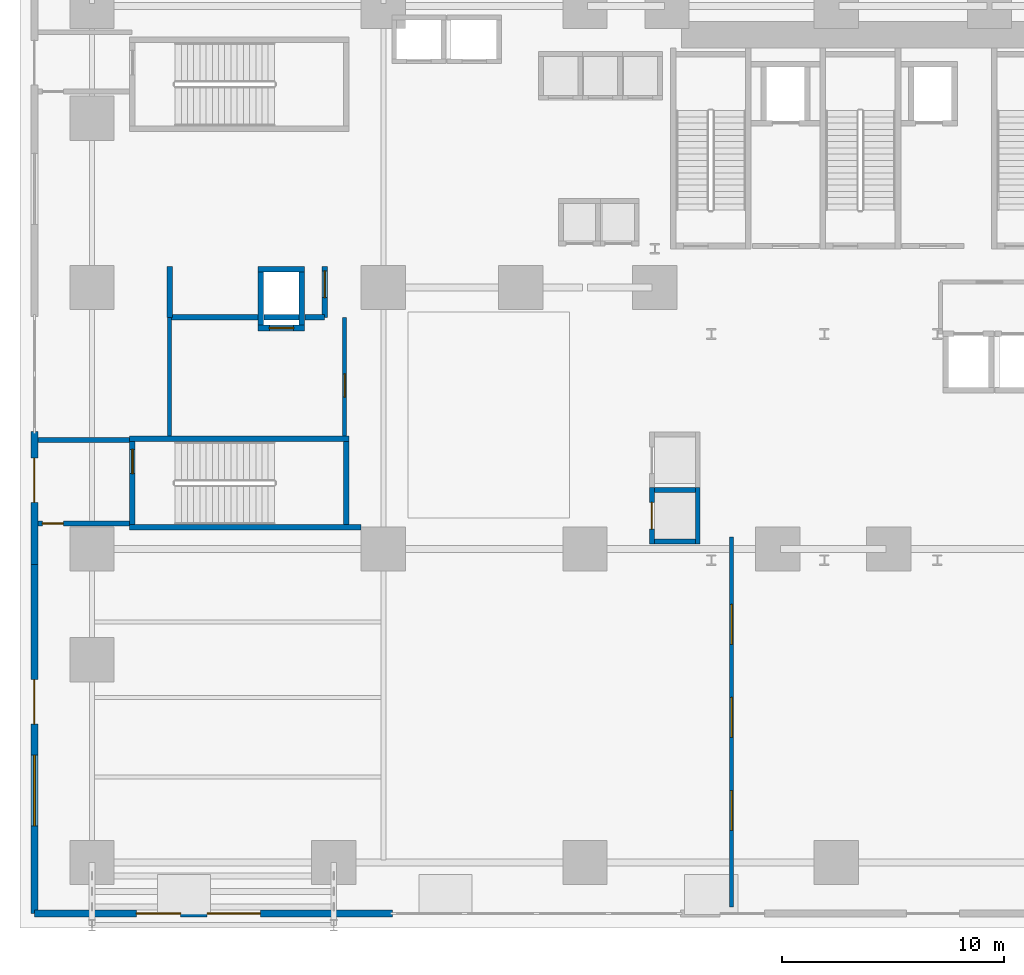
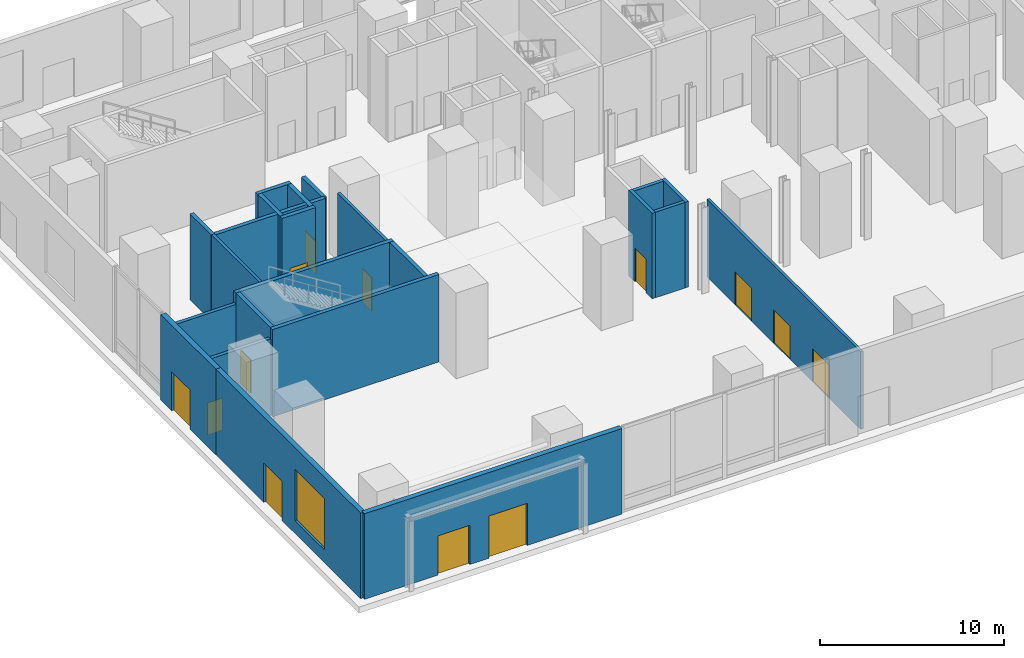
# One storey, part 13 of 25: 25 walls, 13 doors, 1 window, 14 openings.
"""IFC4 building model written with IfcOpenShell, lengths in metres."""

from ifc_helpers import new_model, si_unit, direction, frame, frame_2d, origin, place, context, subcontext, project, spatial, rectangle, extrude, source, transform, mapped, material, layer, layer_set, type_object, element, fill, save


model = new_model("IFC4")

# Units and contexts
model_context = context("Model", 3, precision=1e-05, world=origin(), true_north=direction((0.0, 1.0)))
body_context = subcontext(model_context, "Body", "Model", "MODEL_VIEW")
ifc_project = project(units=[si_unit("LENGTHUNIT", "METRE"), si_unit("AREAUNIT", "SQUARE_METRE"), si_unit("VOLUMEUNIT", "CUBIC_METRE"), si_unit("PLANEANGLEUNIT", "RADIAN"), si_unit("MASSUNIT", "GRAM", prefix="KILO")], contexts=[model_context])

# Site, building, storey
site_placement = place(None, origin())
site = spatial("IfcSite", under=ifc_project, at=site_placement, CompositionType="ELEMENT")
building_placement = place(site_placement, origin())
building = spatial("IfcBuilding", under=site, at=building_placement, Name="Vardaveli Station Tower", CompositionType="ELEMENT")
storey_placement = place(building_placement, origin())
storey = spatial("IfcBuildingStorey", under=building, at=storey_placement, Name="L01", CompositionType="ELEMENT", Elevation=0.0)

# Wall, openings, doors
ifc_material_1 = material(Name="Precast concrete C45/55", Category="concrete")
ifc_layer_1 = layer(ifc_material_1, 0.320068359375, Name="Precast concrete C45/55")
ifc_layer_set_1 = layer_set([ifc_layer_1], Name="Precast concrete C45/55")
wall_type_1 = type_object("IfcWallType", Name="WAL-EXT-STONE-320", PredefinedType="SOLIDWALL", material=ifc_layer_set_1)
shared_shape_1 = source(origin(), body_context, "Body", "SweptSolid", [
    extrude(rectangle(XDim=16.150146484375, YDim=0.320068359375, at=frame_2d((8.0751953125, 0.0))), origin(), (0.0, 0.0, 1.0), 5.679931640625),
])
wall_1_placement = place(storey_placement, frame((0.64990234375, 0.64990234375, 0.0), z_axis=(0.0, 0.0, 1.0), x_axis=(1.0, 0.0, 0.0)))
wall_1 = element("IfcWall", 1, at=wall_1_placement, inside=storey, type_object=wall_type_1, Name="EW-L01-S1", PredefinedType="SOLIDWALL", context=body_context, shape_type="MappedRepresentation", body=[
    mapped(shared_shape_1, transform((0.0, 0.0, 0.0), scale=1.0)),
])
shared_shape_2 = source(origin(), body_context, "Body", "SweptSolid", [
    extrude(rectangle(XDim=2.0, YDim=2.60009765625, at=frame_2d((1.0, 1.300048828125))), frame((0.0, 0.169921875, 0.0), z_axis=(0.0, -1.0, 0.0), x_axis=(1.0, 0.0, 0.0)), (0.0, 0.0, 1.0), 0.340087890625),
])
opening_1_placement = place(wall_1_placement, frame((4.60009765625, 0.0, 0.0)))
opening_1 = element("IfcOpeningElement", 2, at=opening_1_placement, cuts=wall_1, Name="Opening EX-01", PredefinedType="OPENING", context=body_context, shape_type="MappedRepresentation", body=[
    mapped(shared_shape_2, transform((0.0, 0.0, 0.0), scale=1.0)),
])
shared_shape_3 = source(origin(), body_context, "Body", "SweptSolid", [
    extrude(rectangle(XDim=2.39990234375, YDim=2.800048828125, at=frame_2d((1.199951171875, 1.39990234375))), frame((0.0, 0.169921875, 0.0), z_axis=(0.0, -1.0, 0.0), x_axis=(1.0, 0.0, 0.0)), (0.0, 0.0, 1.0), 0.340087890625),
])
opening_2_placement = place(wall_1_placement, frame((7.800048828125, 0.0, 0.0)))
opening_2 = element("IfcOpeningElement", 3, at=opening_2_placement, cuts=wall_1, Name="Opening EN-D1", PredefinedType="OPENING", context=body_context, shape_type="MappedRepresentation", body=[
    mapped(shared_shape_3, transform((0.0, 0.0, 0.0), scale=1.0)),
])
ifc_material_2 = material(Name="Brushed stainless steel and glass", Category="steel")
door_type_1 = type_object("IfcDoorType", Name="DR-EX-2000x2600", OperationType="DOUBLE_DOOR_SINGLE_SWING", PredefinedType="DOOR", material=ifc_material_2)
shared_shape_4 = source(origin(), body_context, "Body", "SweptSolid", [
    extrude(rectangle(XDim=2.0, YDim=2.60009765625, at=frame_2d((1.0, 1.300048828125))), frame((0.0, 0.02490234375, 0.0), z_axis=(0.0, -1.0, 0.0), x_axis=(1.0, 0.0, 0.0)), (0.0, 0.0, 1.0), 0.050048828125),
])
door_1_placement = place(opening_1_placement, frame((2.0, 0.0, 0.0), z_axis=(0.0, 0.0, 1.0), x_axis=(-1.0, 0.0, 0.0)))
door_1 = element("IfcDoor", 4, at=door_1_placement, inside=storey, type_object=door_type_1, Name="EX-01", OperationType="DOUBLE_DOOR_SINGLE_SWING", OverallHeight=2.60009765625, OverallWidth=2.0, PredefinedType="DOOR", context=body_context, shape_type="MappedRepresentation", body=[
    mapped(shared_shape_4, transform((0.0, 0.0, 0.0), scale=1.0)),
])
fill(opening_1, door_1)
door_type_2 = type_object("IfcDoorType", Name="DR-ENT-2400x2800", OperationType="DOUBLE_DOOR_SINGLE_SWING", PredefinedType="DOOR", material=ifc_material_2)
shared_shape_5 = source(origin(), body_context, "Body", "SweptSolid", [
    extrude(rectangle(XDim=2.39990234375, YDim=2.800048828125, at=frame_2d((1.199951171875, 1.39990234375))), frame((0.0, 0.02490234375, 0.0), z_axis=(0.0, -1.0, 0.0), x_axis=(1.0, 0.0, 0.0)), (0.0, 0.0, 1.0), 0.050048828125),
])
door_2_placement = place(opening_2_placement, frame((2.39990234375, 0.0, 0.0), z_axis=(0.0, 0.0, 1.0), x_axis=(-1.0, 0.0, 0.0)))
door_2 = element("IfcDoor", 5, at=door_2_placement, inside=storey, type_object=door_type_2, Name="EN-S1", OperationType="DOUBLE_DOOR_SINGLE_SWING", OverallHeight=2.800048828125, OverallWidth=2.39990234375, PredefinedType="DOOR", context=body_context, shape_type="MappedRepresentation", body=[
    mapped(shared_shape_5, transform((0.0, 0.0, 0.0), scale=1.0)),
])
fill(opening_2, door_2)

# Wall, openings, door, window
shared_shape_6 = source(origin(), body_context, "Body", "SweptSolid", [
    extrude(rectangle(XDim=15.75, YDim=0.320068359375, at=frame_2d((7.875, 0.0))), origin(), (0.0, 0.0, 1.0), 5.679931640625),
])
wall_2_placement = place(storey_placement, frame((0.64990234375, 16.39990234375, 0.0), z_axis=(0.0, 0.0, 1.0), x_axis=(0.0, -1.0, 0.0)))
wall_2 = element("IfcWall", 6, at=wall_2_placement, inside=storey, type_object=wall_type_1, Name="EW-L01-W1", PredefinedType="SOLIDWALL", context=body_context, shape_type="MappedRepresentation", body=[
    mapped(shared_shape_6, transform((0.0, 0.0, 0.0), scale=1.0)),
])
opening_3_placement = place(wall_2_placement, frame((5.199951171875, 0.0, 0.0)))
opening_3 = element("IfcOpeningElement", 7, at=opening_3_placement, cuts=wall_2, Name="Opening EX-07", PredefinedType="OPENING", context=body_context, shape_type="MappedRepresentation", body=[
    mapped(shared_shape_2, transform((0.0, 0.0, 0.0), scale=1.0)),
])
shared_shape_7 = source(origin(), body_context, "Body", "SweptSolid", [
    extrude(rectangle(XDim=3.199951171875, YDim=3.39990234375, at=frame_2d((1.60009765625, 1.699951171875))), frame((0.0, 0.169921875, 0.0), z_axis=(0.0, -1.0, 0.0), x_axis=(1.0, 0.0, 0.0)), (0.0, 0.0, 1.0), 0.340087890625),
])
opening_4_placement = place(wall_2_placement, frame((8.60009765625, 0.0, 0.85009765625)))
opening_4 = element("IfcOpeningElement", 8, at=opening_4_placement, cuts=wall_2, Name="Opening W-01", PredefinedType="OPENING", context=body_context, shape_type="MappedRepresentation", body=[
    mapped(shared_shape_7, transform((0.0, 0.0, 0.0), scale=1.0)),
])
door_3_placement = place(opening_3_placement, frame((2.0, 0.0, 0.0), z_axis=(0.0, 0.0, 1.0), x_axis=(-1.0, 0.0, 0.0)))
door_3 = element("IfcDoor", 9, at=door_3_placement, inside=storey, type_object=door_type_1, Name="EX-07", OperationType="DOUBLE_DOOR_SINGLE_SWING", OverallHeight=2.60009765625, OverallWidth=2.0, PredefinedType="DOOR", context=body_context, shape_type="MappedRepresentation", body=[
    mapped(shared_shape_4, transform((0.0, 0.0, 0.0), scale=1.0)),
])
fill(opening_3, door_3)
ifc_material_3 = material(Name="Low-E acoustic laminated glass", Category="glass")
window_type = type_object("IfcWindowType", Name="WIN-CONC-3200x3400", PartitioningType="SINGLE_PANEL", PredefinedType="WINDOW", material=ifc_material_3)
shared_shape_8 = source(origin(), body_context, "Body", "SweptSolid", [
    extrude(rectangle(XDim=3.199951171875, YDim=3.39990234375, at=frame_2d((1.60009765625, 1.699951171875))), frame((0.0, 0.030029296875, 0.0), z_axis=(0.0, -1.0, 0.0), x_axis=(1.0, 0.0, 0.0)), (0.0, 0.0, 1.0), 0.06005859375),
])
window_placement = place(opening_4_placement, origin())
window = element("IfcWindow", 10, at=window_placement, inside=storey, type_object=window_type, Name="WN-L01-W1", OverallHeight=3.39990234375, OverallWidth=3.199951171875, PartitioningType="SINGLE_PANEL", PredefinedType="WINDOW", context=body_context, shape_type="MappedRepresentation", body=[
    mapped(shared_shape_8, transform((0.0, 0.0, 0.0), scale=1.0)),
])
fill(opening_4, window)

# Wall, opening, door
shared_shape_9 = source(origin(), body_context, "Body", "SweptSolid", [
    extrude(rectangle(XDim=6.0, YDim=0.320068359375, at=frame_2d((3.0, 0.0))), origin(), (0.0, 0.0, 1.0), 5.679931640625),
])
wall_3_placement = place(storey_placement, frame((0.64990234375, 22.39990234375, 0.0), z_axis=(0.0, 0.0, 1.0), x_axis=(0.0, -1.0, 0.0)))
wall_3 = element("IfcWall", 11, at=wall_3_placement, inside=storey, type_object=wall_type_1, Name="EW-L01-W2", PredefinedType="SOLIDWALL", context=body_context, shape_type="MappedRepresentation", body=[
    mapped(shared_shape_9, transform((0.0, 0.0, 0.0), scale=1.0)),
])
opening_5_placement = place(wall_3_placement, frame((1.199951171875, 0.0, 0.0)))
opening_5 = element("IfcOpeningElement", 12, at=opening_5_placement, cuts=wall_3, Name="Opening EX-11", PredefinedType="OPENING", context=body_context, shape_type="MappedRepresentation", body=[
    mapped(shared_shape_2, transform((0.0, 0.0, 0.0), scale=1.0)),
])
door_4_placement = place(opening_5_placement, frame((2.0, 0.0, 0.0), z_axis=(0.0, 0.0, 1.0), x_axis=(-1.0, 0.0, 0.0)))
door_4 = element("IfcDoor", 13, at=door_4_placement, inside=storey, type_object=door_type_1, Name="EX-11", OperationType="DOUBLE_DOOR_SINGLE_SWING", OverallHeight=2.60009765625, OverallWidth=2.0, PredefinedType="DOOR", context=body_context, shape_type="MappedRepresentation", body=[
    mapped(shared_shape_4, transform((0.0, 0.0, 0.0), scale=1.0)),
])
fill(opening_5, door_4)

# Walls
ifc_material_4 = material(Name="Concrete C40/50", Category="concrete")
ifc_layer_2 = layer(ifc_material_4, 0.25, Name="Concrete C40/50")
ifc_layer_set_2 = layer_set([ifc_layer_2], Name="Concrete C40/50")
wall_type_2 = type_object("IfcWallType", Name="WAL-SHAFT-250", PredefinedType="SOLIDWALL", material=ifc_layer_set_2)
shared_shape_10 = source(origin(), body_context, "Body", "SweptSolid", [
    extrude(rectangle(XDim=10.449951171875, YDim=0.25, at=frame_2d((5.22509765625, 0.0))), origin(), (0.0, 0.0, 1.0), 5.800048828125),
])
wall_4_placement = place(storey_placement, frame((4.949951171875, 18.074951171875, 0.0), z_axis=(0.0, 0.0, 1.0), x_axis=(1.0, 0.0, 0.0)))
element("IfcWall", 14, at=wall_4_placement, inside=storey, type_object=wall_type_2, Name="W-L01-ST-S1S", PredefinedType="SOLIDWALL", context=body_context, shape_type="MappedRepresentation", body=[
    mapped(shared_shape_10, transform((0.0, 0.0, 0.0), scale=1.0)),
])
shared_shape_11 = source(origin(), body_context, "Body", "SweptSolid", [
    extrude(rectangle(XDim=9.900146484375, YDim=0.25, at=frame_2d((4.9501953125, 0.0))), origin(), (0.0, 0.0, 1.0), 5.800048828125),
])
wall_5_placement = place(storey_placement, frame((4.949951171875, 22.074951171875, 0.0), z_axis=(0.0, 0.0, 1.0), x_axis=(1.0, 0.0, 0.0)))
element("IfcWall", 15, at=wall_5_placement, inside=storey, type_object=wall_type_2, Name="W-L01-ST-S1N", PredefinedType="SOLIDWALL", context=body_context, shape_type="MappedRepresentation", body=[
    mapped(shared_shape_11, transform((0.0, 0.0, 0.0), scale=1.0)),
])
shared_shape_12 = source(origin(), body_context, "Body", "SweptSolid", [
    extrude(rectangle(XDim=3.75, YDim=0.25, at=frame_2d((1.875, 0.0))), origin(), (0.0, 0.0, 1.0), 5.800048828125),
])
wall_6_placement = place(storey_placement, frame((14.72509765625, 18.199951171875, 0.0), z_axis=(0.0, 0.0, 1.0), x_axis=(0.0, 1.0, 0.0)))
element("IfcWall", 16, at=wall_6_placement, inside=storey, type_object=wall_type_2, Name="W-L01-ST-S1E", PredefinedType="SOLIDWALL", context=body_context, shape_type="MappedRepresentation", body=[
    mapped(shared_shape_12, transform((0.0, 0.0, 0.0), scale=1.0)),
])

# Wall, opening, door
wall_7_placement = place(storey_placement, frame((5.074951171875, 18.199951171875, 0.0), z_axis=(0.0, 0.0, 1.0), x_axis=(0.0, 1.0, 0.0)))
wall_7 = element("IfcWall", 17, at=wall_7_placement, inside=storey, type_object=wall_type_2, Name="W-L01-ST-S1W", PredefinedType="SOLIDWALL", context=body_context, shape_type="MappedRepresentation", body=[
    mapped(shared_shape_12, transform((0.0, 0.0, 0.0), scale=1.0)),
])
shared_shape_13 = source(origin(), body_context, "Body", "SweptSolid", [
    extrude(rectangle(XDim=1.10009765625, YDim=2.199951171875, at=frame_2d((0.550048828125, 1.10009765625))), frame((0.0, 0.135009765625, 0.0), z_axis=(0.0, -1.0, 0.0), x_axis=(1.0, 0.0, 0.0)), (0.0, 0.0, 1.0), 0.27001953125),
])
opening_6_placement = place(wall_7_placement, frame((2.300048828125, 0.0, 0.0)))
opening_6 = element("IfcOpeningElement", 18, at=opening_6_placement, cuts=wall_7, Name="Opening D-04", PredefinedType="OPENING", context=body_context, shape_type="MappedRepresentation", body=[
    mapped(shared_shape_13, transform((0.0, 0.0, 0.0), scale=1.0)),
])
ifc_material_5 = material(Name="Steel smokeproof fire doorset", Category="steel")
door_type_3 = type_object("IfcDoorType", Name="DR-ST-1100x2200", OperationType="NOTDEFINED", PredefinedType="DOOR", material=ifc_material_5)
shared_shape_14 = source(origin(), body_context, "Body", "SweptSolid", [
    extrude(rectangle(XDim=1.10009765625, YDim=2.199951171875, at=frame_2d((0.550048828125, 1.10009765625))), frame((0.0, 0.02490234375, 0.0), z_axis=(0.0, -1.0, 0.0), x_axis=(1.0, 0.0, 0.0)), (0.0, 0.0, 1.0), 0.050048828125),
])
door_5_placement = place(opening_6_placement, origin())
door_5 = element("IfcDoor", 19, at=door_5_placement, inside=storey, type_object=door_type_3, Name="DST-S1-L01", OperationType="SINGLE_SWING_RIGHT", OverallHeight=2.199951171875, OverallWidth=1.10009765625, PredefinedType="DOOR", context=body_context, shape_type="MappedRepresentation", body=[
    mapped(shared_shape_14, transform((0.0, 0.0, 0.0), scale=1.0)),
])
fill(opening_6, door_5)

shared_shape_15 = source(origin(), body_context, "Body", "SweptSolid", [
    extrude(rectangle(XDim=2.10009765625, YDim=0.25, at=frame_2d((1.050048828125, 0.0))), origin(), (0.0, 0.0, 1.0), 5.679931640625),
])
wall_8_placement = place(storey_placement, frame((10.75, 27.074951171875, 0.0), z_axis=(0.0, 0.0, 1.0), x_axis=(1.0, 0.0, 0.0)))
wall_8 = element("IfcWall", 20, at=wall_8_placement, inside=storey, type_object=wall_type_2, Name="SHW-STN-01-L01-S", PredefinedType="SOLIDWALL", context=body_context, shape_type="MappedRepresentation", body=[
    mapped(shared_shape_15, transform((0.0, 0.0, 0.0), scale=1.0)),
])
opening_7_placement = place(wall_8_placement, frame((0.5, 0.0, 0.0)))
opening_7 = element("IfcOpeningElement", 21, at=opening_7_placement, cuts=wall_8, Name="Opening LD-01", PredefinedType="OPENING", context=body_context, shape_type="MappedRepresentation", body=[
    mapped(shared_shape_13, transform((0.0, 0.0, 0.0), scale=1.0)),
])
ifc_material_6 = material(Name="Brushed stainless steel", Category="steel")
door_type_4 = type_object("IfcDoorType", Name="DR-LD-1100x2200", OperationType="DOUBLE_DOOR_SLIDING", PredefinedType="DOOR", material=ifc_material_6)
door_6_placement = place(opening_7_placement, origin())
door_6 = element("IfcDoor", 22, at=door_6_placement, inside=storey, type_object=door_type_4, Name="LD-STN-01-L01", OperationType="DOUBLE_DOOR_SLIDING", OverallHeight=2.199951171875, OverallWidth=1.10009765625, PredefinedType="DOOR", context=body_context, shape_type="MappedRepresentation", body=[
    mapped(shared_shape_14, transform((0.0, 0.0, 0.0), scale=1.0)),
])
fill(opening_7, door_6)

# Walls
wall_9_placement = place(storey_placement, frame((10.75, 29.72509765625, 0.0), z_axis=(0.0, 0.0, 1.0), x_axis=(1.0, 0.0, 0.0)))
element("IfcWall", 23, at=wall_9_placement, inside=storey, type_object=wall_type_2, Name="SHW-STN-01-L01-N", PredefinedType="SOLIDWALL", context=body_context, shape_type="MappedRepresentation", body=[
    mapped(shared_shape_15, transform((0.0, 0.0, 0.0), scale=1.0)),
])
shared_shape_16 = source(origin(), body_context, "Body", "SweptSolid", [
    extrude(rectangle(XDim=2.400146484375, YDim=0.25, at=frame_2d((1.2001953125, 0.0))), origin(), (0.0, 0.0, 1.0), 5.679931640625),
])
for number, where, z_axis, x_axis, name in (
    (24, (10.875, 27.199951171875, 0.0), (0.0, 0.0, 1.0), (0.0, 1.0, 0.0), "SHW-STN-01-L01-W"),
    (25, (12.72509765625, 27.199951171875, 0.0), (0.0, 0.0, 1.0), (0.0, 1.0, 0.0), "SHW-STN-01-L01-E"),
):
    element("IfcWall", number, at=place(storey_placement, frame(where, z_axis=z_axis, x_axis=x_axis)), inside=storey, type_object=wall_type_2, Name=name, PredefinedType="SOLIDWALL", context=body_context, shape_type="MappedRepresentation", body=[
        mapped(shared_shape_16, transform((0.0, 0.0, 0.0), scale=1.0)),
    ])
ifc_layer_3 = layer(ifc_material_4, 0.219970703125, Name="Concrete C40/50")
ifc_layer_set_3 = layer_set([ifc_layer_3], Name="Concrete C40/50")
wall_type_3 = type_object("IfcWallType", Name="WAL-FFLOBBY-220", PredefinedType="SOLIDWALL", material=ifc_layer_set_3)
shared_shape_17 = source(origin(), body_context, "Body", "SweptSolid", [
    extrude(rectangle(XDim=1.85009765625, YDim=0.219970703125, at=frame_2d((0.925048828125, 0.0))), origin(), (0.0, 0.0, 1.0), 5.679931640625),
])
for number, where, z_axis, x_axis, name in (
    (26, (28.625, 17.43994140625, 0.0), (0.0, 0.0, 1.0), (1.0, 0.0, 0.0), "SHW-OBS-01-L01-S"),
    (27, (28.625, 19.760009765625, 0.0), (0.0, 0.0, 1.0), (1.0, 0.0, 0.0), "SHW-OBS-01-L01-N"),
):
    element("IfcWall", number, at=place(storey_placement, frame(where, z_axis=z_axis, x_axis=x_axis)), inside=storey, type_object=wall_type_3, Name=name, PredefinedType="SOLIDWALL", context=body_context, shape_type="MappedRepresentation", body=[
        mapped(shared_shape_17, transform((0.0, 0.0, 0.0), scale=1.0)),
    ])

# Wall, opening, door
shared_shape_18 = source(origin(), body_context, "Body", "SweptSolid", [
    extrude(rectangle(XDim=2.5400390625, YDim=0.219970703125, at=frame_2d((1.27001953125, 0.0))), origin(), (0.0, 0.0, 1.0), 5.679931640625),
])
wall_10_placement = place(storey_placement, frame((28.514892578125, 17.330078125, 0.0), z_axis=(0.0, 0.0, 1.0), x_axis=(0.0, 1.0, 0.0)))
wall_10 = element("IfcWall", 28, at=wall_10_placement, inside=storey, type_object=wall_type_3, Name="SHW-OBS-01-L01-W", PredefinedType="SOLIDWALL", context=body_context, shape_type="MappedRepresentation", body=[
    mapped(shared_shape_18, transform((0.0, 0.0, 0.0), scale=1.0)),
])
shared_shape_19 = source(origin(), body_context, "Body", "SweptSolid", [
    extrude(rectangle(XDim=1.199951171875, YDim=2.25, at=frame_2d((0.60009765625, 1.125))), frame((0.0, 0.1201171875, 0.0), z_axis=(0.0, -1.0, 0.0), x_axis=(1.0, 0.0, 0.0)), (0.0, 0.0, 1.0), 0.239990234375),
])
opening_8_placement = place(wall_10_placement, frame((0.669921875, 0.0, 0.0)))
opening_8 = element("IfcOpeningElement", 29, at=opening_8_placement, cuts=wall_10, Name="Opening LD-02", PredefinedType="OPENING", context=body_context, shape_type="MappedRepresentation", body=[
    mapped(shared_shape_19, transform((0.0, 0.0, 0.0), scale=1.0)),
])
door_type_5 = type_object("IfcDoorType", Name="DR-LD-1200x2250", OperationType="DOUBLE_DOOR_SLIDING", PredefinedType="DOOR", material=ifc_material_6)
shared_shape_20 = source(origin(), body_context, "Body", "SweptSolid", [
    extrude(rectangle(XDim=1.199951171875, YDim=2.25, at=frame_2d((0.60009765625, 1.125))), frame((0.0, 0.02490234375, 0.0), z_axis=(0.0, -1.0, 0.0), x_axis=(1.0, 0.0, 0.0)), (0.0, 0.0, 1.0), 0.050048828125),
])
door_7_placement = place(opening_8_placement, origin())
door_7 = element("IfcDoor", 30, at=door_7_placement, inside=storey, type_object=door_type_5, Name="LD-OBS-01-L01", OperationType="DOUBLE_DOOR_SLIDING", OverallHeight=2.25, OverallWidth=1.199951171875, PredefinedType="DOOR", context=body_context, shape_type="MappedRepresentation", body=[
    mapped(shared_shape_20, transform((0.0, 0.0, 0.0), scale=1.0)),
])
fill(opening_8, door_7)

# Wall
wall_11_placement = place(storey_placement, frame((30.5849609375, 17.330078125, 0.0), z_axis=(0.0, 0.0, 1.0), x_axis=(0.0, 1.0, 0.0)))
element("IfcWall", 31, at=wall_11_placement, inside=storey, type_object=wall_type_3, Name="SHW-OBS-01-L01-E", PredefinedType="SOLIDWALL", context=body_context, shape_type="MappedRepresentation", body=[
    mapped(shared_shape_18, transform((0.0, 0.0, 0.0), scale=1.0)),
])

# Wall, openings, doors
ifc_material_7 = material(Name="Fire-rated gypsum stud partition")
ifc_layer_4 = layer(ifc_material_7, 0.179931640625, Name="Fire-rated gypsum stud partition")
ifc_layer_set_4 = layer_set([ifc_layer_4], Name="Fire-rated gypsum stud partition")
wall_type_4 = type_object("IfcWallType", Name="WAL-CORR-180", PredefinedType="PARTITIONING", material=ifc_layer_set_4)
shared_shape_21 = source(origin(), body_context, "Body", "SweptSolid", [
    extrude(rectangle(XDim=16.699951171875, YDim=0.179931640625, at=frame_2d((8.35009765625, 0.0))), origin(), (0.0, 0.0, 1.0), 5.14794921875),
])
wall_12_placement = place(storey_placement, frame((32.1201171875, 0.949951171875, 0.0), z_axis=(0.0, 0.0, 1.0), x_axis=(0.0, 1.0, 0.0)))
wall_12 = element("IfcWall", 32, at=wall_12_placement, inside=storey, type_object=wall_type_4, Name="W-L01-FG", PredefinedType="PARTITIONING", context=body_context, shape_type="MappedRepresentation", body=[
    mapped(shared_shape_21, transform((0.0, 0.0, 0.0), scale=1.0)),
])
shared_shape_22 = source(origin(), body_context, "Body", "SweptSolid", [
    extrude(rectangle(XDim=1.800048828125, YDim=2.199951171875, at=frame_2d((0.89990234375, 1.10009765625))), frame((0.0, 0.10009765625, 0.0), z_axis=(0.0, -1.0, 0.0), x_axis=(1.0, 0.0, 0.0)), (0.0, 0.0, 1.0), 0.199951171875),
])
opening_9_placement = place(wall_12_placement, frame((3.449951171875, 0.0, 0.0)))
opening_9 = element("IfcOpeningElement", 33, at=opening_9_placement, cuts=wall_12, Name="Opening SG-01", PredefinedType="OPENING", context=body_context, shape_type="MappedRepresentation", body=[
    mapped(shared_shape_22, transform((0.0, 0.0, 0.0), scale=1.0)),
])
opening_10_placement = place(wall_12_placement, frame((7.64990234375, 0.0, 0.0)))
opening_10 = element("IfcOpeningElement", 34, at=opening_10_placement, cuts=wall_12, Name="Opening SG-01", PredefinedType="OPENING", context=body_context, shape_type="MappedRepresentation", body=[
    mapped(shared_shape_22, transform((0.0, 0.0, 0.0), scale=1.0)),
])
opening_11_placement = place(wall_12_placement, frame((11.85009765625, 0.0, 0.0)))
opening_11 = element("IfcOpeningElement", 35, at=opening_11_placement, cuts=wall_12, Name="Opening SG-01", PredefinedType="OPENING", context=body_context, shape_type="MappedRepresentation", body=[
    mapped(shared_shape_22, transform((0.0, 0.0, 0.0), scale=1.0)),
])
door_type_6 = type_object("IfcDoorType", Name="DR-FG-1800x2200", OperationType="DOUBLE_DOOR_SLIDING", PredefinedType="GATE", material=ifc_material_2)
shared_shape_23 = source(origin(), body_context, "Body", "SweptSolid", [
    extrude(rectangle(XDim=1.800048828125, YDim=2.199951171875, at=frame_2d((0.89990234375, 1.10009765625))), frame((0.0, 0.02490234375, 0.0), z_axis=(0.0, -1.0, 0.0), x_axis=(1.0, 0.0, 0.0)), (0.0, 0.0, 1.0), 0.050048828125),
])
door_8_placement = place(opening_9_placement, origin())
door_8 = element("IfcDoor", 36, at=door_8_placement, inside=storey, type_object=door_type_6, Name="SG-L01-1", OperationType="DOUBLE_DOOR_SLIDING", OverallHeight=2.199951171875, OverallWidth=1.800048828125, PredefinedType="GATE", context=body_context, shape_type="MappedRepresentation", body=[
    mapped(shared_shape_23, transform((0.0, 0.0, 0.0), scale=1.0)),
])
fill(opening_9, door_8)
door_9_placement = place(opening_10_placement, origin())
door_9 = element("IfcDoor", 37, at=door_9_placement, inside=storey, type_object=door_type_6, Name="SG-L01-2", OperationType="DOUBLE_DOOR_SLIDING", OverallHeight=2.199951171875, OverallWidth=1.800048828125, PredefinedType="GATE", context=body_context, shape_type="MappedRepresentation", body=[
    mapped(shared_shape_23, transform((0.0, 0.0, 0.0), scale=1.0)),
])
fill(opening_10, door_9)
door_10_placement = place(opening_11_placement, origin())
door_10 = element("IfcDoor", 38, at=door_10_placement, inside=storey, type_object=door_type_6, Name="SG-L01-3", OperationType="DOUBLE_DOOR_SLIDING", OverallHeight=2.199951171875, OverallWidth=1.800048828125, PredefinedType="GATE", context=body_context, shape_type="MappedRepresentation", body=[
    mapped(shared_shape_23, transform((0.0, 0.0, 0.0), scale=1.0)),
])
fill(opening_11, door_10)

# Wall, opening, door
shared_shape_24 = source(origin(), body_context, "Body", "SweptSolid", [
    extrude(rectangle(XDim=5.34814453125, YDim=0.179931640625, at=frame_2d((2.674072265625, 0.0))), origin(), (0.0, 0.0, 1.0), 5.679931640625),
])
wall_13_placement = place(storey_placement, frame((14.64990234375, 22.201904296875, 0.0), z_axis=(0.0, 0.0, 1.0), x_axis=(0.0, 1.0, 0.0)))
wall_13 = element("IfcWall", 39, at=wall_13_placement, inside=storey, type_object=wall_type_4, Name="W-L01-LUG-E", PredefinedType="PARTITIONING", context=body_context, shape_type="MappedRepresentation", body=[
    mapped(shared_shape_24, transform((0.0, 0.0, 0.0), scale=1.0)),
])
shared_shape_25 = source(origin(), body_context, "Body", "SweptSolid", [
    extrude(rectangle(XDim=1.050048828125, YDim=2.199951171875, at=frame_2d((0.52490234375, 1.10009765625))), frame((0.0, 0.10009765625, 0.0), z_axis=(0.0, -1.0, 0.0), x_axis=(1.0, 0.0, 0.0)), (0.0, 0.0, 1.0), 0.199951171875),
])
opening_12_placement = place(wall_13_placement, frame((1.748046875, 0.0, 0.0)))
opening_12 = element("IfcOpeningElement", 40, at=opening_12_placement, cuts=wall_13, Name="Opening D-05", PredefinedType="OPENING", context=body_context, shape_type="MappedRepresentation", body=[
    mapped(shared_shape_25, transform((0.0, 0.0, 0.0), scale=1.0)),
])
ifc_material_8 = material(Name="Walnut veneer acoustic fire door")
door_type_7 = type_object("IfcDoorType", Name="DR-SUITE-1050x2200", OperationType="NOTDEFINED", PredefinedType="DOOR", material=ifc_material_8)
shared_shape_26 = source(origin(), body_context, "Body", "SweptSolid", [
    extrude(rectangle(XDim=1.050048828125, YDim=2.199951171875, at=frame_2d((0.52490234375, 1.10009765625))), frame((0.0, 0.02490234375, 0.0), z_axis=(0.0, -1.0, 0.0), x_axis=(1.0, 0.0, 0.0)), (0.0, 0.0, 1.0), 0.050048828125),
])
door_11_placement = place(opening_12_placement, origin())
door_11 = element("IfcDoor", 41, at=door_11_placement, inside=storey, type_object=door_type_7, Name="D-L01-LUG", OperationType="SINGLE_SWING_LEFT", OverallHeight=2.199951171875, OverallWidth=1.050048828125, PredefinedType="DOOR", context=body_context, shape_type="MappedRepresentation", body=[
    mapped(shared_shape_26, transform((0.0, 0.0, 0.0), scale=1.0)),
])
fill(opening_12, door_11)

# Wall
wall_14_placement = place(storey_placement, frame((6.75, 22.201904296875, 0.0), z_axis=(0.0, 0.0, 1.0), x_axis=(0.0, 1.0, 0.0)))
element("IfcWall", 42, at=wall_14_placement, inside=storey, type_object=wall_type_4, Name="W-L01-LUG-W", PredefinedType="PARTITIONING", context=body_context, shape_type="MappedRepresentation", body=[
    mapped(shared_shape_24, transform((0.0, 0.0, 0.0), scale=1.0)),
])

# Wall, opening, door
shared_shape_27 = source(origin(), body_context, "Body", "SweptSolid", [
    extrude(rectangle(XDim=4.135986328125, YDim=0.219970703125, at=frame_2d((2.06787109375, 0.0))), origin(), (0.0, 0.0, 1.0), 5.072021484375),
])
wall_15_placement = place(storey_placement, frame((0.81201171875, 18.25, 0.0), z_axis=(0.0, 0.0, 1.0), x_axis=(1.0, 0.0, 0.0)))
wall_15 = element("IfcWall", 43, at=wall_15_placement, inside=storey, type_object=wall_type_3, Name="W-L01-PXPS1-S", PredefinedType="SOLIDWALL", context=body_context, shape_type="MappedRepresentation", body=[
    mapped(shared_shape_27, transform((0.0, 0.0, 0.0), scale=1.0)),
])
shared_shape_28 = source(origin(), body_context, "Body", "SweptSolid", [
    extrude(rectangle(XDim=0.949951171875, YDim=2.14990234375, at=frame_2d((0.47509765625, 1.074951171875))), frame((0.0, 0.1201171875, 0.0), z_axis=(0.0, -1.0, 0.0), x_axis=(1.0, 0.0, 0.0)), (0.0, 0.0, 1.0), 0.239990234375),
])
opening_13_placement = place(wall_15_placement, frame((0.199951171875, 0.0, 0.0)))
opening_13 = element("IfcOpeningElement", 44, at=opening_13_placement, cuts=wall_15, Name="Opening D-06", PredefinedType="OPENING", context=body_context, shape_type="MappedRepresentation", body=[
    mapped(shared_shape_28, transform((0.0, 0.0, 0.0), scale=1.0)),
])
ifc_material_9 = material(Name="Oak veneer acoustic fire door")
door_type_8 = type_object("IfcDoorType", Name="DR-GUEST-950x2150", OperationType="NOTDEFINED", PredefinedType="DOOR", material=ifc_material_9)
shared_shape_29 = source(origin(), body_context, "Body", "SweptSolid", [
    extrude(rectangle(XDim=0.949951171875, YDim=2.14990234375, at=frame_2d((0.47509765625, 1.074951171875))), frame((0.0, 0.02490234375, 0.0), z_axis=(0.0, -1.0, 0.0), x_axis=(1.0, 0.0, 0.0)), (0.0, 0.0, 1.0), 0.050048828125),
])
door_12_placement = place(opening_13_placement, origin())
door_12 = element("IfcDoor", 45, at=door_12_placement, inside=storey, type_object=door_type_8, Name="D-L01-PXPS1", OperationType="SINGLE_SWING_LEFT", OverallHeight=2.14990234375, OverallWidth=0.949951171875, PredefinedType="DOOR", context=body_context, shape_type="MappedRepresentation", body=[
    mapped(shared_shape_29, transform((0.0, 0.0, 0.0), scale=1.0)),
])
fill(opening_13, door_12)

shared_shape_30 = source(origin(), body_context, "Body", "SweptSolid", [
    extrude(rectangle(XDim=2.300048828125, YDim=0.25, at=frame_2d((1.14990234375, 0.0))), origin(), (0.0, 0.0, 1.0), 5.679931640625),
])
wall_16_placement = place(storey_placement, frame((13.75, 27.550048828125, 0.0), z_axis=(0.0, 0.0, 1.0), x_axis=(0.0, 1.0, 0.0)))
wall_16 = element("IfcWall", 46, at=wall_16_placement, inside=storey, type_object=wall_type_2, Name="W-L01-FCC-E", PredefinedType="SOLIDWALL", context=body_context, shape_type="MappedRepresentation", body=[
    mapped(shared_shape_30, transform((0.0, 0.0, 0.0), scale=1.0)),
])
shared_shape_31 = source(origin(), body_context, "Body", "SweptSolid", [
    extrude(rectangle(XDim=1.199951171875, YDim=2.199951171875, at=frame_2d((0.60009765625, 1.10009765625))), frame((0.0, 0.135009765625, 0.0), z_axis=(0.0, -1.0, 0.0), x_axis=(1.0, 0.0, 0.0)), (0.0, 0.0, 1.0), 0.27001953125),
])
opening_14_placement = place(wall_16_placement, frame((0.89990234375, 0.0, 0.0)))
opening_14 = element("IfcOpeningElement", 47, at=opening_14_placement, cuts=wall_16, Name="Opening D-03", PredefinedType="OPENING", context=body_context, shape_type="MappedRepresentation", body=[
    mapped(shared_shape_31, transform((0.0, 0.0, 0.0), scale=1.0)),
])
door_type_9 = type_object("IfcDoorType", Name="DR-FFL-1200x2200", OperationType="NOTDEFINED", PredefinedType="DOOR", material=ifc_material_5)
shared_shape_32 = source(origin(), body_context, "Body", "SweptSolid", [
    extrude(rectangle(XDim=1.199951171875, YDim=2.199951171875, at=frame_2d((0.60009765625, 1.10009765625))), frame((0.0, 0.02490234375, 0.0), z_axis=(0.0, -1.0, 0.0), x_axis=(1.0, 0.0, 0.0)), (0.0, 0.0, 1.0), 0.050048828125),
])
door_13_placement = place(opening_14_placement, origin())
door_13 = element("IfcDoor", 48, at=door_13_placement, inside=storey, type_object=door_type_9, Name="D-L01-FCC", OperationType="SINGLE_SWING_LEFT", OverallHeight=2.199951171875, OverallWidth=1.199951171875, PredefinedType="DOOR", context=body_context, shape_type="MappedRepresentation", body=[
    mapped(shared_shape_32, transform((0.0, 0.0, 0.0), scale=1.0)),
])
fill(opening_14, door_13)

# Walls
wall_17_placement = place(storey_placement, frame((6.75, 27.550048828125, 0.0), z_axis=(0.0, 0.0, 1.0), x_axis=(0.0, 1.0, 0.0)))
element("IfcWall", 49, at=wall_17_placement, inside=storey, type_object=wall_type_2, Name="W-L01-FCC-W", PredefinedType="SOLIDWALL", context=body_context, shape_type="MappedRepresentation", body=[
    mapped(shared_shape_30, transform((0.0, 0.0, 0.0), scale=1.0)),
])
shared_shape_33 = source(origin(), body_context, "Body", "SweptSolid", [
    extrude(rectangle(XDim=3.998046875, YDim=0.25, at=frame_2d((1.9990234375, 0.0))), origin(), (0.0, 0.0, 1.0), 5.679931640625),
])
wall_18_placement = place(storey_placement, frame((6.75, 27.550048828125, 0.0), z_axis=(0.0, 0.0, 1.0), x_axis=(1.0, 0.0, 0.0)))
element("IfcWall", 50, at=wall_18_placement, inside=storey, type_object=wall_type_2, Name="W-L01-FCC-S-P1", PredefinedType="SOLIDWALL", context=body_context, shape_type="MappedRepresentation", body=[
    mapped(shared_shape_33, transform((0.0, 0.0, 0.0), scale=1.0)),
])
shared_shape_34 = source(origin(), body_context, "Body", "SweptSolid", [
    extrude(rectangle(XDim=1.595947265625, YDim=0.25, at=frame_2d((0.7978515625, 0.0))), origin(), (0.0, 0.0, 1.0), 5.679931640625),
])
wall_19_placement = place(storey_placement, frame((11.001953125, 27.550048828125, 0.0), z_axis=(0.0, 0.0, 1.0), x_axis=(1.0, 0.0, 0.0)))
element("IfcWall", 51, at=wall_19_placement, inside=storey, type_object=wall_type_2, Name="W-L01-FCC-S-P2", PredefinedType="SOLIDWALL", context=body_context, shape_type="MappedRepresentation", body=[
    mapped(shared_shape_34, transform((0.0, 0.0, 0.0), scale=1.0)),
])
shared_shape_35 = source(origin(), body_context, "Body", "SweptSolid", [
    extrude(rectangle(XDim=0.89794921875, YDim=0.25, at=frame_2d((0.448974609375, 0.0))), origin(), (0.0, 0.0, 1.0), 5.679931640625),
])
wall_20_placement = place(storey_placement, frame((12.85205078125, 27.550048828125, 0.0), z_axis=(0.0, 0.0, 1.0), x_axis=(1.0, 0.0, 0.0)))
element("IfcWall", 52, at=wall_20_placement, inside=storey, type_object=wall_type_2, Name="W-L01-FCC-S-P3", PredefinedType="SOLIDWALL", context=body_context, shape_type="MappedRepresentation", body=[
    mapped(shared_shape_35, transform((0.0, 0.0, 0.0), scale=1.0)),
])
shared_shape_36 = source(origin(), body_context, "Body", "SweptSolid", [
    extrude(rectangle(XDim=4.137939453125, YDim=0.219970703125, at=frame_2d((2.06884765625, 0.0))), origin(), (0.0, 0.0, 1.0), 5.072021484375),
])
wall_21_placement = place(storey_placement, frame((0.81201171875, 22.02001953125, 0.0), z_axis=(0.0, 0.0, 1.0), x_axis=(1.0, 0.0, 0.0)))
element("IfcWall", 53, at=wall_21_placement, inside=storey, type_object=wall_type_3, Name="W-L01-PXPS1-N", PredefinedType="SOLIDWALL", context=body_context, shape_type="MappedRepresentation", body=[
    mapped(shared_shape_36, transform((0.0, 0.0, 0.0), scale=1.0)),
])

save(model, "model.ifc")
